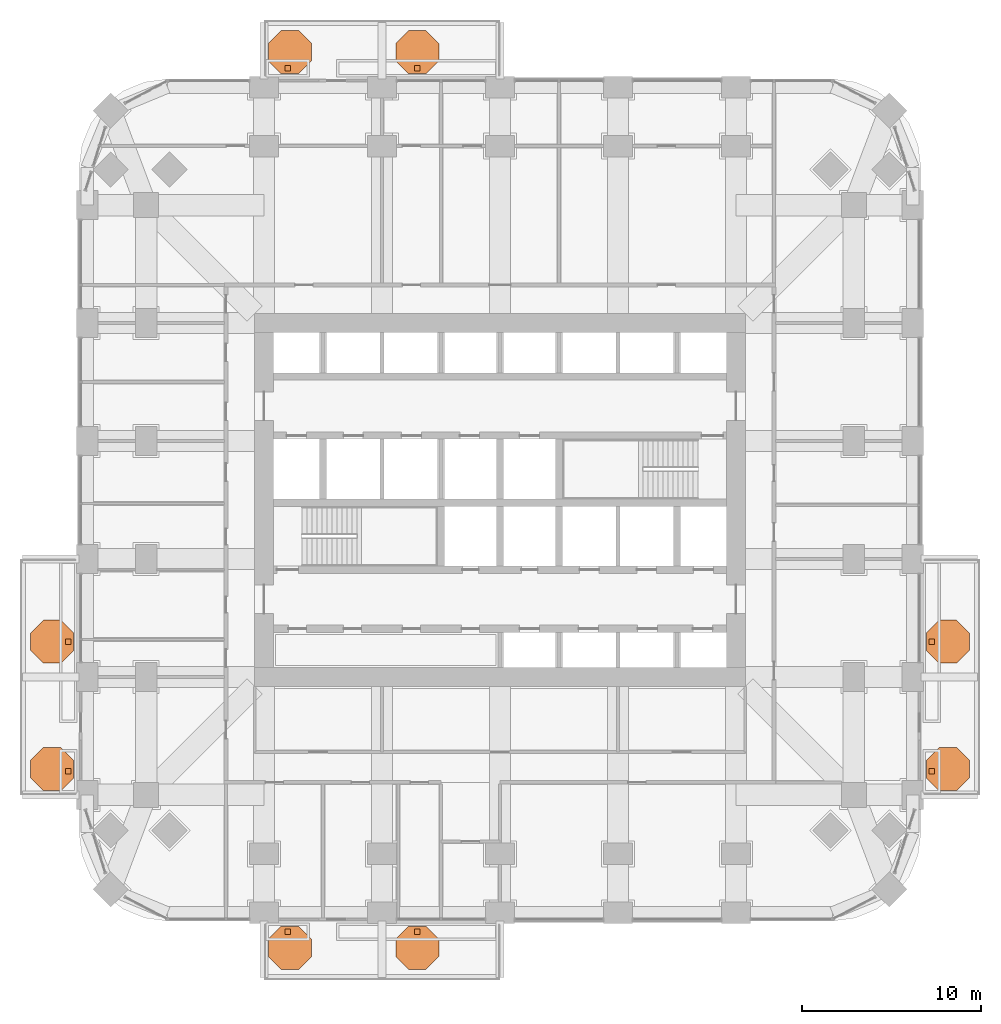
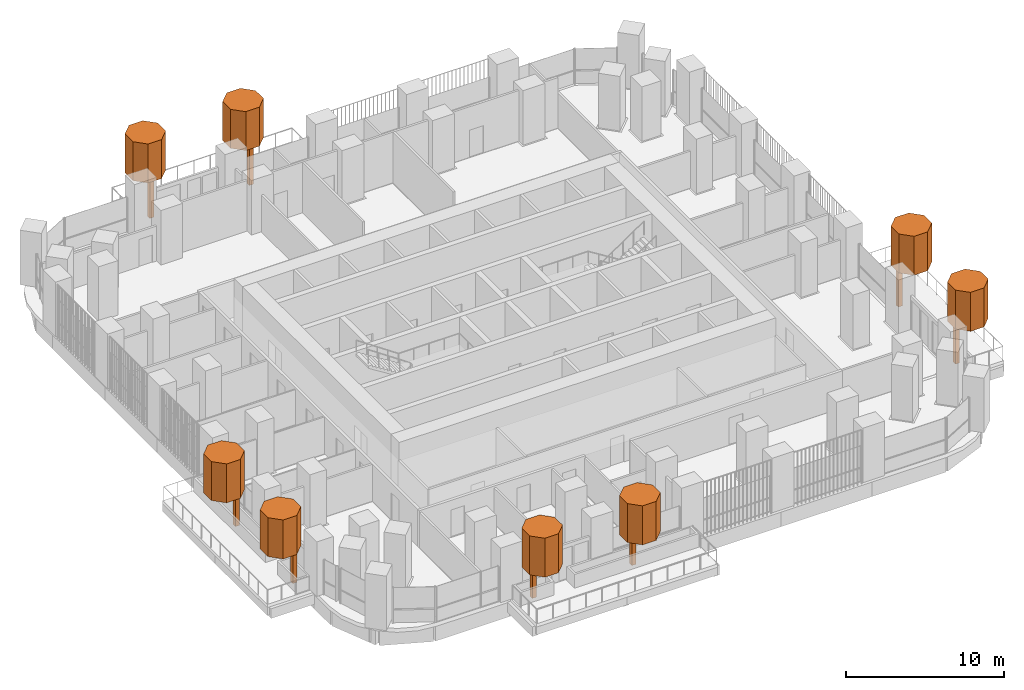
# One storey, part 21 of 21: 16 geographic elements.
"""IFC4 building model written with IfcOpenShell, lengths in metres."""

from ifc_helpers import new_model, si_unit, direction, frame, origin, origin_2d, place, context, subcontext, project, spatial, polyline, rectangle, outline, extrude, material, type_object, element, save


model = new_model("IFC4")

# Units and contexts
model_context = context("Model", 3, precision=1e-05, world=origin(), true_north=direction((0.0, 1.0)))
body_context = subcontext(model_context, "Body", "Model", "MODEL_VIEW")
ifc_project = project(units=[si_unit("LENGTHUNIT", "METRE"), si_unit("AREAUNIT", "SQUARE_METRE"), si_unit("VOLUMEUNIT", "CUBIC_METRE"), si_unit("PLANEANGLEUNIT", "RADIAN"), si_unit("MASSUNIT", "GRAM", prefix="KILO")], contexts=[model_context])

# Site, building, storey
site_placement = place(None, origin())
site = spatial("IfcSite", under=ifc_project, at=site_placement, CompositionType="ELEMENT")
building_placement = place(site_placement, origin())
building = spatial("IfcBuilding", under=site, at=building_placement, Name="Cobogo Forest Laboratory Tower", CompositionType="ELEMENT")
storey_placement = place(building_placement, frame((0.0, 0.0, 90.60009765625)))
storey = spatial("IfcBuildingStorey", under=building, at=storey_placement, Name="L20", CompositionType="ELEMENT", Elevation=90.60009765625)

# Geographic elements
ifc_material = material(Name="Planting", Category="plant")
geographic_element_type_1 = type_object("IfcGeographicElementType", Name="Tree trunk 300", PredefinedType="USERDEFINED", material=ifc_material)
for number, where, z_axis, x_axis, name in (
    (1, (14.52490234375, -1.050048828125, 0.0), (0.0, 0.0, 1.0), (1.0, 0.0, 0.0), "Tree trunk BAL-S1-PL1 L20"),
    (2, (21.77490234375, -1.050048828125, 0.0), (0.0, 0.0, 1.0), (1.0, 0.0, 0.0), "Tree trunk BAL-S1-PL2 L20"),
    (3, (50.550048828125, 7.925048828125, 0.0), (0.0, 0.0, 1.0), (1.0, 0.0, 0.0), "Tree trunk BAL-E1-PL1 L20"),
    (4, (50.550048828125, 15.175048828125, 0.0), (0.0, 0.0, 1.0), (1.0, 0.0, 0.0), "Tree trunk BAL-E1-PL2 L20"),
    (5, (14.52490234375, 47.25, 0.0), (0.0, 0.0, 1.0), (1.0, 0.0, 0.0), "Tree trunk BAL-N1-PL1 L20"),
    (6, (21.77490234375, 47.25, 0.0), (0.0, 0.0, 1.0), (1.0, 0.0, 0.0), "Tree trunk BAL-N1-PL2 L20"),
    (7, (2.25, 7.925048828125, 0.0), (0.0, 0.0, 1.0), (1.0, 0.0, 0.0), "Tree trunk BAL-W1-PL1 L20"),
    (8, (2.25, 15.175048828125, 0.0), (0.0, 0.0, 1.0), (1.0, 0.0, 0.0), "Tree trunk BAL-W1-PL2 L20"),
):
    element("IfcGeographicElement", number, at=place(storey_placement, frame(where, z_axis=z_axis, x_axis=x_axis)), inside=storey, type_object=geographic_element_type_1, Name=name, ObjectType="TREE TRUNK", PredefinedType="USERDEFINED", context=body_context, shape_type="SweptSolid", body=[
        extrude(rectangle(XDim=0.300048828125, YDim=0.300048828125, at=origin_2d()), origin(), (0.0, 0.0, 1.0), 2.89990234375),
    ])
geographic_element_type_2 = type_object("IfcGeographicElementType", Name="Tree, holm oak 5 m", PredefinedType="USERDEFINED", material=ifc_material)
geographic_element_1_placement = place(storey_placement, frame((0.0, 0.0, 2.89990234375)))
element("IfcGeographicElement", 9, at=geographic_element_1_placement, inside=storey, type_object=geographic_element_type_2, Name="Holm tree BAL-S1-PL1 L20", ObjectType="TREE", PredefinedType="USERDEFINED", context=body_context, shape_type="SweptSolid", body=[
    extrude(outline(polyline([(15.85009765625, -2.447021484375), (15.85009765625, -1.452880859375), (15.14697265625, -0.75), (14.15283203125, -0.75), (13.449951171875, -1.452880859375), (13.449951171875, -2.447021484375), (14.15283203125, -3.14990234375), (15.14697265625, -3.14990234375), (15.85009765625, -2.447021484375)])), origin(), (0.0, 0.0, 1.0), 3.0),
])
geographic_element_2_placement = place(storey_placement, frame((0.0, 0.0, 2.89990234375)))
element("IfcGeographicElement", 10, at=geographic_element_2_placement, inside=storey, type_object=geographic_element_type_2, Name="Holm tree BAL-S1-PL2 L20", ObjectType="TREE", PredefinedType="USERDEFINED", context=body_context, shape_type="SweptSolid", body=[
    extrude(outline(polyline([(22.97509765625, -2.447021484375), (22.97509765625, -1.452880859375), (22.27197265625, -0.75), (21.27783203125, -0.75), (20.574951171875, -1.452880859375), (20.574951171875, -2.447021484375), (21.27783203125, -3.14990234375), (22.27197265625, -3.14990234375), (22.97509765625, -2.447021484375)])), origin(), (0.0, 0.0, 1.0), 3.0),
])
geographic_element_3_placement = place(storey_placement, frame((0.0, 0.0, 2.89990234375)))
element("IfcGeographicElement", 11, at=geographic_element_3_placement, inside=storey, type_object=geographic_element_type_2, Name="Holm tree BAL-E1-PL1 L20", ObjectType="TREE", PredefinedType="USERDEFINED", context=body_context, shape_type="SweptSolid", body=[
    extrude(outline(polyline([(52.64990234375, 7.552978515625), (52.64990234375, 8.547119140625), (51.947021484375, 9.25), (50.952880859375, 9.25), (50.25, 8.547119140625), (50.25, 7.552978515625), (50.952880859375, 6.85009765625), (51.947021484375, 6.85009765625), (52.64990234375, 7.552978515625)])), origin(), (0.0, 0.0, 1.0), 3.0),
])
geographic_element_4_placement = place(storey_placement, frame((0.0, 0.0, 2.89990234375)))
element("IfcGeographicElement", 12, at=geographic_element_4_placement, inside=storey, type_object=geographic_element_type_2, Name="Holm tree BAL-E1-PL2 L20", ObjectType="TREE", PredefinedType="USERDEFINED", context=body_context, shape_type="SweptSolid", body=[
    extrude(outline(polyline([(52.64990234375, 14.677978515625), (52.64990234375, 15.672119140625), (51.947021484375, 16.375), (50.952880859375, 16.375), (50.25, 15.672119140625), (50.25, 14.677978515625), (50.952880859375, 13.97509765625), (51.947021484375, 13.97509765625), (52.64990234375, 14.677978515625)])), origin(), (0.0, 0.0, 1.0), 3.0),
])
geographic_element_5_placement = place(storey_placement, frame((0.0, 0.0, 2.89990234375)))
element("IfcGeographicElement", 13, at=geographic_element_5_placement, inside=storey, type_object=geographic_element_type_2, Name="Holm tree BAL-N1-PL1 L20", ObjectType="TREE", PredefinedType="USERDEFINED", context=body_context, shape_type="SweptSolid", body=[
    extrude(outline(polyline([(15.85009765625, 47.65283203125), (15.85009765625, 48.64697265625), (15.14697265625, 49.35009765625), (14.15283203125, 49.35009765625), (13.449951171875, 48.64697265625), (13.449951171875, 47.65283203125), (14.15283203125, 46.949951171875), (15.14697265625, 46.949951171875), (15.85009765625, 47.65283203125)])), origin(), (0.0, 0.0, 1.0), 3.0),
])
geographic_element_6_placement = place(storey_placement, frame((0.0, 0.0, 2.89990234375)))
element("IfcGeographicElement", 14, at=geographic_element_6_placement, inside=storey, type_object=geographic_element_type_2, Name="Holm tree BAL-N1-PL2 L20", ObjectType="TREE", PredefinedType="USERDEFINED", context=body_context, shape_type="SweptSolid", body=[
    extrude(outline(polyline([(22.97509765625, 47.65283203125), (22.97509765625, 48.64697265625), (22.27197265625, 49.35009765625), (21.27783203125, 49.35009765625), (20.574951171875, 48.64697265625), (20.574951171875, 47.65283203125), (21.27783203125, 46.949951171875), (22.27197265625, 46.949951171875), (22.97509765625, 47.65283203125)])), origin(), (0.0, 0.0, 1.0), 3.0),
])
geographic_element_7_placement = place(storey_placement, frame((0.0, 0.0, 2.89990234375)))
element("IfcGeographicElement", 15, at=geographic_element_7_placement, inside=storey, type_object=geographic_element_type_2, Name="Holm tree BAL-W1-PL1 L20", ObjectType="TREE", PredefinedType="USERDEFINED", context=body_context, shape_type="SweptSolid", body=[
    extrude(outline(polyline([(2.550048828125, 7.552978515625), (2.550048828125, 8.547119140625), (1.84716796875, 9.25), (0.85302734375, 9.25), (0.14990234375, 8.547119140625), (0.14990234375, 7.552978515625), (0.85302734375, 6.85009765625), (1.84716796875, 6.85009765625), (2.550048828125, 7.552978515625)])), origin(), (0.0, 0.0, 1.0), 3.0),
])
geographic_element_8_placement = place(storey_placement, frame((0.0, 0.0, 2.89990234375)))
element("IfcGeographicElement", 16, at=geographic_element_8_placement, inside=storey, type_object=geographic_element_type_2, Name="Holm tree BAL-W1-PL2 L20", ObjectType="TREE", PredefinedType="USERDEFINED", context=body_context, shape_type="SweptSolid", body=[
    extrude(outline(polyline([(2.550048828125, 14.677978515625), (2.550048828125, 15.672119140625), (1.84716796875, 16.375), (0.85302734375, 16.375), (0.14990234375, 15.672119140625), (0.14990234375, 14.677978515625), (0.85302734375, 13.97509765625), (1.84716796875, 13.97509765625), (2.550048828125, 14.677978515625)])), origin(), (0.0, 0.0, 1.0), 3.0),
])

save(model, "model.ifc")
